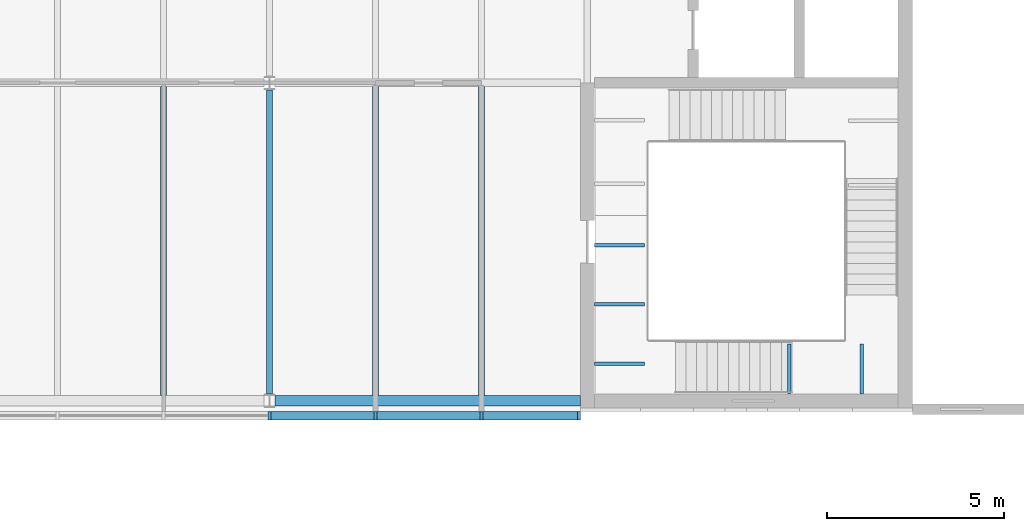
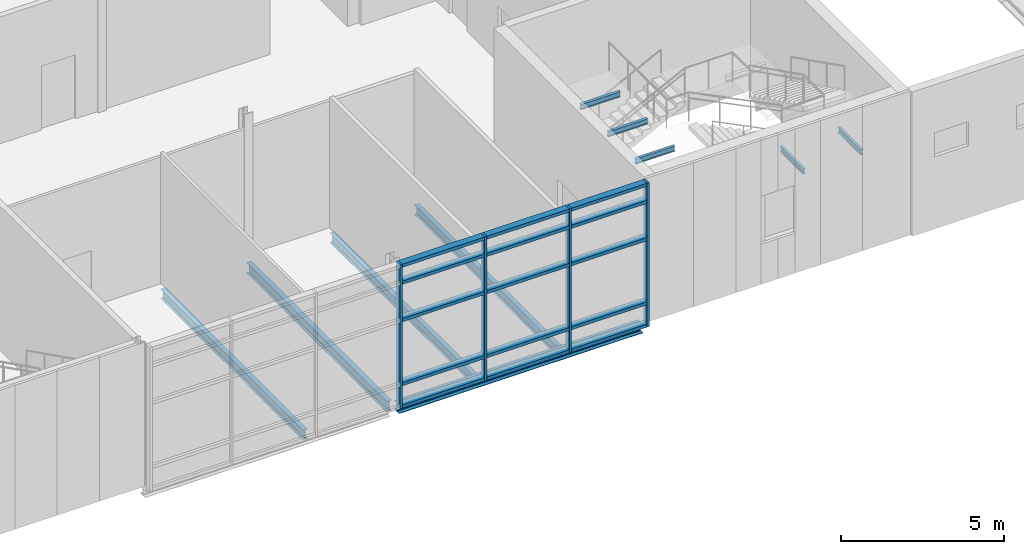
# One storey, part 14 of 53: 19 members, 10 beams, 1 element without a shape of its own.
"""IFC4 building model written with IfcOpenShell, lengths in metres."""

from ifc_helpers import new_model, si_unit, direction, frame, origin, origin_2d, place, context, subcontext, project, spatial, rectangle, i_section, extrude, material, material_profile, profile_set, type_object, element, aggregate, save


model = new_model("IFC4")

# Units and contexts
model_context = context("Model", 3, precision=1e-05, world=origin(), true_north=direction((0.0, 1.0)))
body_context = subcontext(model_context, "Body", "Model", "MODEL_VIEW")
ifc_project = project(units=[si_unit("LENGTHUNIT", "METRE"), si_unit("AREAUNIT", "SQUARE_METRE"), si_unit("VOLUMEUNIT", "CUBIC_METRE"), si_unit("PLANEANGLEUNIT", "RADIAN"), si_unit("MASSUNIT", "GRAM", prefix="KILO")], contexts=[model_context])

# Site, building, storey
site_placement = place(None, origin())
site = spatial("IfcSite", under=ifc_project, at=site_placement, CompositionType="ELEMENT")
building_placement = place(site_placement, origin())
building = spatial("IfcBuilding", under=site, at=building_placement, Name="Azimuth Sports and Learning Centre", CompositionType="ELEMENT")
storey_placement = place(building_placement, frame((0.0, 0.0, 10.800048828125)))
storey = spatial("IfcBuildingStorey", under=building, at=storey_placement, Name="L02", CompositionType="ELEMENT", Elevation=10.800048828125)

# Beams
ifc_material_1 = material(Name="Steel S355", Category="steel")
ifc_material_profile_1 = material_profile(ifc_material_1, i_section(OverallWidth=0.10009765625, OverallDepth=0.199951171875, WebThickness=0.005615234375, FlangeThickness=0.008544921875, FilletRadius=0.011962890625, at=origin_2d()), Name="IPE 200")
ifc_profile_set_1 = profile_set([ifc_material_profile_1], Name="Steel S355")
beam_type_1 = type_object("IfcBeamType", Name="Beam IPE 200", PredefinedType="BEAM", material=ifc_profile_set_1)
for number, where, z_axis, x_axis, name in (
    (1, (59.715087890625, 90.199951171875, 3.300048828125), (0.0, 1.0, 0.0), (-1.0, 0.0, 0.0), "Landing bracket W1 L02 21"),
    (2, (61.764892578125, 90.199951171875, 3.300048828125), (0.0, 1.0, 0.0), (-1.0, 0.0, 0.0), "Landing bracket W1 L02 22"),
    (3, (54.199951171875, 91.050048828125, 5.099853515625), (1.0, 0.0, 0.0), (0.0, 1.0, 0.0), "Landing bracket W1 L02 23"),
    (4, (54.199951171875, 92.72998046875, 5.099853515625), (1.0, 0.0, 0.0), (0.0, 1.0, 0.0), "Landing bracket W1 L02 24"),
    (5, (54.199951171875, 94.409912109375, 5.099853515625), (1.0, 0.0, 0.0), (0.0, 1.0, 0.0), "Landing bracket W1 L02 25"),
):
    element("IfcBeam", number, at=place(storey_placement, frame(where, z_axis=z_axis, x_axis=x_axis)), inside=storey, type_object=beam_type_1, Name=name, PredefinedType="BEAM", context=body_context, shape_type="SweptSolid", body=[
        extrude(i_section(OverallWidth=0.10009765625, OverallDepth=0.199951171875, WebThickness=0.005615234375, FlangeThickness=0.008544921875, FilletRadius=0.011962890625, at=origin_2d()), origin(), (0.0, 0.0, 1.0), 1.41015625),
    ])
ifc_material_2 = material(Name="Steel S355", Category="steel")
ifc_material_profile_2 = material_profile(ifc_material_2, i_section(OverallWidth=0.179931640625, OverallDepth=0.39990234375, WebThickness=0.008544921875, FlangeThickness=0.013427734375, FilletRadius=0.02099609375, at=origin_2d()), Name="IPE 400")
ifc_profile_set_2 = profile_set([ifc_material_profile_2], Name="Steel S355")
beam_type_2 = type_object("IfcBeamType", Name="Beam IPE 400", PredefinedType="BEAM", material=ifc_profile_set_2)
beam_1_placement = place(storey_placement, frame((45.0, 90.199951171875, -0.35009765625), z_axis=(0.0, 1.0, 0.0), x_axis=(-1.0, 0.0, 0.0)))
element("IfcBeam", 6, at=beam_1_placement, inside=storey, type_object=beam_type_2, Name="Beam L02 WW 23", PredefinedType="BEAM", context=body_context, shape_type="SweptSolid", body=[
    extrude(i_section(OverallWidth=0.179931640625, OverallDepth=0.39990234375, WebThickness=0.008544921875, FlangeThickness=0.013427734375, FilletRadius=0.02099609375, at=origin_2d()), origin(), (0.0, 0.0, 1.0), 8.60009765625),
])
ifc_material_3 = material(Name="Steel S355", Category="steel")
ifc_material_profile_3 = material_profile(ifc_material_3, i_section(OverallWidth=0.300048828125, OverallDepth=0.330078125, WebThickness=0.009521484375, FlangeThickness=0.0166015625, FilletRadius=0.027099609375, at=origin_2d()), Name="HEA 340")
ifc_profile_set_3 = profile_set([ifc_material_profile_3], Name="Steel S355")
beam_type_3 = type_object("IfcBeamType", Name="Edge beam HEA 340", PredefinedType="SPANDREL", material=ifc_profile_set_3)
beam_2_placement = place(storey_placement, frame((45.14990234375, 90.0, -0.31494140625), z_axis=(1.0, 0.0, 0.0), x_axis=(0.0, 1.0, 0.0)))
element("IfcBeam", 7, at=beam_2_placement, inside=storey, type_object=beam_type_3, Name="Edge beam L02 WW 4", PredefinedType="SPANDREL", context=body_context, shape_type="SweptSolid", body=[
    extrude(i_section(OverallWidth=0.300048828125, OverallDepth=0.330078125, WebThickness=0.009521484375, FlangeThickness=0.0166015625, FilletRadius=0.027099609375, at=origin_2d()), origin(), (0.0, 0.0, 1.0), 8.650146484375),
])
ifc_material_4 = material(Name="Steel S355", Category="steel")
ifc_material_profile_4 = material_profile(ifc_material_4, i_section(OverallWidth=0.169921875, OverallDepth=0.360107421875, WebThickness=0.008056640625, FlangeThickness=0.0126953125, FilletRadius=0.01806640625, at=origin_2d()), Name="IPE 360")
ifc_profile_set_4 = profile_set([ifc_material_profile_4], Name="Steel S355")
beam_type_4 = type_object("IfcBeamType", Name="Joist IPE 360", PredefinedType="JOIST", material=ifc_profile_set_4)
for number, where, z_axis, x_axis, name in (
    (8, (42.0, 90.14990234375, -0.330078125), (0.0, 1.0, 0.0), (-1.0, 0.0, 0.0), "Joist L02 WW 45"),
    (9, (48.0, 90.14990234375, -0.330078125), (0.0, 1.0, 0.0), (-1.0, 0.0, 0.0), "Joist L02 WW 48"),
    (10, (51.0, 90.14990234375, -0.330078125), (0.0, 1.0, 0.0), (-1.0, 0.0, 0.0), "Joist L02 WW 51"),
):
    element("IfcBeam", number, at=place(storey_placement, frame(where, z_axis=z_axis, x_axis=x_axis)), inside=storey, type_object=beam_type_4, Name=name, PredefinedType="JOIST", context=body_context, shape_type="SweptSolid", body=[
        extrude(i_section(OverallWidth=0.169921875, OverallDepth=0.360107421875, WebThickness=0.008056640625, FlangeThickness=0.0126953125, FilletRadius=0.01806640625, at=origin_2d()), origin(), (0.0, 0.0, 1.0), 8.7451171875),
    ])

# Curtain wall, members
ifc_material_5 = material(Name="Aluminium and glass", Category="aluminium")
curtain_wall_type = type_object("IfcCurtainWallType", Name="Curtain wall podium wing 240", PredefinedType="NOTDEFINED", material=ifc_material_5)
curtain_wall_placement = place(storey_placement, origin())
curtain_wall = element("IfcCurtainWall", 11, at=curtain_wall_placement, inside=storey, type_object=curtain_wall_type, Name="Curtain wall CW02-002", PredefinedType="NOTDEFINED")
ifc_material_6 = material(Name="Aluminium", Category="aluminium")
ifc_material_profile_5 = material_profile(ifc_material_6, rectangle(XDim=0.239990234375, YDim=0.080078125, at=origin_2d()), Name="Mullion 80x240")
ifc_profile_set_5 = profile_set([ifc_material_profile_5], Name="Aluminium")
member_type_1 = type_object("IfcMemberType", Name="Mullion 80x240", PredefinedType="MULLION", material=ifc_profile_set_5)
member_1_placement = place(storey_placement, frame((45.0, 89.580078125, 0.0), z_axis=(0.0, 0.0, 1.0), x_axis=(0.0, 1.0, 0.0)))
member_1 = element("IfcMember", 12, at=member_1_placement, type_object=member_type_1, Name="CW02-002 mullion 4", PredefinedType="MULLION", context=body_context, shape_type="SweptSolid", body=[
    extrude(rectangle(XDim=0.239990234375, YDim=0.080078125, at=origin_2d()), origin(), (0.0, 0.0, 1.0), 5.39990234375),
])
member_2_placement = place(storey_placement, frame((48.0, 89.580078125, 0.0), z_axis=(0.0, 0.0, 1.0), x_axis=(0.0, 1.0, 0.0)))
member_2 = element("IfcMember", 13, at=member_2_placement, type_object=member_type_1, Name="CW02-002 mullion 5", PredefinedType="MULLION", context=body_context, shape_type="SweptSolid", body=[
    extrude(rectangle(XDim=0.239990234375, YDim=0.080078125, at=origin_2d()), origin(), (0.0, 0.0, 1.0), 5.39990234375),
])
member_3_placement = place(storey_placement, frame((51.0, 89.580078125, 0.0), z_axis=(0.0, 0.0, 1.0), x_axis=(0.0, 1.0, 0.0)))
member_3 = element("IfcMember", 14, at=member_3_placement, type_object=member_type_1, Name="CW02-002 mullion 6", PredefinedType="MULLION", context=body_context, shape_type="SweptSolid", body=[
    extrude(rectangle(XDim=0.239990234375, YDim=0.080078125, at=origin_2d()), origin(), (0.0, 0.0, 1.0), 5.39990234375),
])
member_4_placement = place(storey_placement, frame((53.760009765625, 89.580078125, 0.0), z_axis=(0.0, 0.0, 1.0), x_axis=(0.0, 1.0, 0.0)))
member_4 = element("IfcMember", 15, at=member_4_placement, type_object=member_type_1, Name="CW02-002 mullion 7", PredefinedType="MULLION", context=body_context, shape_type="SweptSolid", body=[
    extrude(rectangle(XDim=0.239990234375, YDim=0.080078125, at=origin_2d()), origin(), (0.0, 0.0, 1.0), 5.39990234375),
])
ifc_material_7 = material(Name="Aluminium", Category="aluminium")
ifc_material_profile_6 = material_profile(ifc_material_7, rectangle(XDim=0.239990234375, YDim=0.1201171875, at=origin_2d()), Name="Transom 120x240")
ifc_profile_set_6 = profile_set([ifc_material_profile_6], Name="Aluminium")
member_type_2 = type_object("IfcMemberType", Name="Transom 120x240", PredefinedType="USERDEFINED", material=ifc_profile_set_6)
member_5_placement = place(storey_placement, frame((45.0400390625, 89.580078125, 0.06005859375), z_axis=(1.0, 0.0, 0.0), x_axis=(0.0, 1.0, 0.0)))
member_5 = element("IfcMember", 16, at=member_5_placement, type_object=member_type_2, Name="CW02-002 transom 4.1", ObjectType="TRANSOM", PredefinedType="USERDEFINED", context=body_context, shape_type="SweptSolid", body=[
    extrude(rectangle(XDim=0.239990234375, YDim=0.1201171875, at=origin_2d()), origin(), (0.0, 0.0, 1.0), 2.919921875),
])
member_6_placement = place(storey_placement, frame((45.0400390625, 89.580078125, 0.89990234375), z_axis=(1.0, 0.0, 0.0), x_axis=(0.0, 1.0, 0.0)))
member_6 = element("IfcMember", 17, at=member_6_placement, type_object=member_type_2, Name="CW02-002 transom 4.2", ObjectType="TRANSOM", PredefinedType="USERDEFINED", context=body_context, shape_type="SweptSolid", body=[
    extrude(rectangle(XDim=0.239990234375, YDim=0.1201171875, at=origin_2d()), origin(), (0.0, 0.0, 1.0), 2.919921875),
])
member_7_placement = place(storey_placement, frame((45.0400390625, 89.580078125, 3.300048828125), z_axis=(1.0, 0.0, 0.0), x_axis=(0.0, 1.0, 0.0)))
member_7 = element("IfcMember", 18, at=member_7_placement, type_object=member_type_2, Name="CW02-002 transom 4.3", ObjectType="TRANSOM", PredefinedType="USERDEFINED", context=body_context, shape_type="SweptSolid", body=[
    extrude(rectangle(XDim=0.239990234375, YDim=0.1201171875, at=origin_2d()), origin(), (0.0, 0.0, 1.0), 2.919921875),
])
member_8_placement = place(storey_placement, frame((45.0400390625, 89.580078125, 4.699951171875), z_axis=(1.0, 0.0, 0.0), x_axis=(0.0, 1.0, 0.0)))
member_8 = element("IfcMember", 19, at=member_8_placement, type_object=member_type_2, Name="CW02-002 transom 4.4", ObjectType="TRANSOM", PredefinedType="USERDEFINED", context=body_context, shape_type="SweptSolid", body=[
    extrude(rectangle(XDim=0.239990234375, YDim=0.1201171875, at=origin_2d()), origin(), (0.0, 0.0, 1.0), 2.919921875),
])
member_9_placement = place(storey_placement, frame((45.0400390625, 89.580078125, 5.33984375), z_axis=(1.0, 0.0, 0.0), x_axis=(0.0, 1.0, 0.0)))
member_9 = element("IfcMember", 20, at=member_9_placement, type_object=member_type_2, Name="CW02-002 transom 4.5", ObjectType="TRANSOM", PredefinedType="USERDEFINED", context=body_context, shape_type="SweptSolid", body=[
    extrude(rectangle(XDim=0.239990234375, YDim=0.1201171875, at=origin_2d()), origin(), (0.0, 0.0, 1.0), 2.919921875),
])
member_10_placement = place(storey_placement, frame((48.0400390625, 89.580078125, 0.06005859375), z_axis=(1.0, 0.0, 0.0), x_axis=(0.0, 1.0, 0.0)))
member_10 = element("IfcMember", 21, at=member_10_placement, type_object=member_type_2, Name="CW02-002 transom 5.1", ObjectType="TRANSOM", PredefinedType="USERDEFINED", context=body_context, shape_type="SweptSolid", body=[
    extrude(rectangle(XDim=0.239990234375, YDim=0.1201171875, at=origin_2d()), origin(), (0.0, 0.0, 1.0), 2.919921875),
])
member_11_placement = place(storey_placement, frame((48.0400390625, 89.580078125, 0.89990234375), z_axis=(1.0, 0.0, 0.0), x_axis=(0.0, 1.0, 0.0)))
member_11 = element("IfcMember", 22, at=member_11_placement, type_object=member_type_2, Name="CW02-002 transom 5.2", ObjectType="TRANSOM", PredefinedType="USERDEFINED", context=body_context, shape_type="SweptSolid", body=[
    extrude(rectangle(XDim=0.239990234375, YDim=0.1201171875, at=origin_2d()), origin(), (0.0, 0.0, 1.0), 2.919921875),
])
member_12_placement = place(storey_placement, frame((48.0400390625, 89.580078125, 3.300048828125), z_axis=(1.0, 0.0, 0.0), x_axis=(0.0, 1.0, 0.0)))
member_12 = element("IfcMember", 23, at=member_12_placement, type_object=member_type_2, Name="CW02-002 transom 5.3", ObjectType="TRANSOM", PredefinedType="USERDEFINED", context=body_context, shape_type="SweptSolid", body=[
    extrude(rectangle(XDim=0.239990234375, YDim=0.1201171875, at=origin_2d()), origin(), (0.0, 0.0, 1.0), 2.919921875),
])
member_13_placement = place(storey_placement, frame((48.0400390625, 89.580078125, 4.699951171875), z_axis=(1.0, 0.0, 0.0), x_axis=(0.0, 1.0, 0.0)))
member_13 = element("IfcMember", 24, at=member_13_placement, type_object=member_type_2, Name="CW02-002 transom 5.4", ObjectType="TRANSOM", PredefinedType="USERDEFINED", context=body_context, shape_type="SweptSolid", body=[
    extrude(rectangle(XDim=0.239990234375, YDim=0.1201171875, at=origin_2d()), origin(), (0.0, 0.0, 1.0), 2.919921875),
])
member_14_placement = place(storey_placement, frame((48.0400390625, 89.580078125, 5.33984375), z_axis=(1.0, 0.0, 0.0), x_axis=(0.0, 1.0, 0.0)))
member_14 = element("IfcMember", 25, at=member_14_placement, type_object=member_type_2, Name="CW02-002 transom 5.5", ObjectType="TRANSOM", PredefinedType="USERDEFINED", context=body_context, shape_type="SweptSolid", body=[
    extrude(rectangle(XDim=0.239990234375, YDim=0.1201171875, at=origin_2d()), origin(), (0.0, 0.0, 1.0), 2.919921875),
])
member_15_placement = place(storey_placement, frame((51.0400390625, 89.580078125, 0.06005859375), z_axis=(1.0, 0.0, 0.0), x_axis=(0.0, 1.0, 0.0)))
member_15 = element("IfcMember", 26, at=member_15_placement, type_object=member_type_2, Name="CW02-002 transom 6.1", ObjectType="TRANSOM", PredefinedType="USERDEFINED", context=body_context, shape_type="SweptSolid", body=[
    extrude(rectangle(XDim=0.239990234375, YDim=0.1201171875, at=origin_2d()), origin(), (0.0, 0.0, 1.0), 2.679931640625),
])
member_16_placement = place(storey_placement, frame((51.0400390625, 89.580078125, 0.89990234375), z_axis=(1.0, 0.0, 0.0), x_axis=(0.0, 1.0, 0.0)))
member_16 = element("IfcMember", 27, at=member_16_placement, type_object=member_type_2, Name="CW02-002 transom 6.2", ObjectType="TRANSOM", PredefinedType="USERDEFINED", context=body_context, shape_type="SweptSolid", body=[
    extrude(rectangle(XDim=0.239990234375, YDim=0.1201171875, at=origin_2d()), origin(), (0.0, 0.0, 1.0), 2.679931640625),
])
member_17_placement = place(storey_placement, frame((51.0400390625, 89.580078125, 3.300048828125), z_axis=(1.0, 0.0, 0.0), x_axis=(0.0, 1.0, 0.0)))
member_17 = element("IfcMember", 28, at=member_17_placement, type_object=member_type_2, Name="CW02-002 transom 6.3", ObjectType="TRANSOM", PredefinedType="USERDEFINED", context=body_context, shape_type="SweptSolid", body=[
    extrude(rectangle(XDim=0.239990234375, YDim=0.1201171875, at=origin_2d()), origin(), (0.0, 0.0, 1.0), 2.679931640625),
])
member_18_placement = place(storey_placement, frame((51.0400390625, 89.580078125, 4.699951171875), z_axis=(1.0, 0.0, 0.0), x_axis=(0.0, 1.0, 0.0)))
member_18 = element("IfcMember", 29, at=member_18_placement, type_object=member_type_2, Name="CW02-002 transom 6.4", ObjectType="TRANSOM", PredefinedType="USERDEFINED", context=body_context, shape_type="SweptSolid", body=[
    extrude(rectangle(XDim=0.239990234375, YDim=0.1201171875, at=origin_2d()), origin(), (0.0, 0.0, 1.0), 2.679931640625),
])
member_19_placement = place(storey_placement, frame((51.0400390625, 89.580078125, 5.33984375), z_axis=(1.0, 0.0, 0.0), x_axis=(0.0, 1.0, 0.0)))
member_19 = element("IfcMember", 30, at=member_19_placement, type_object=member_type_2, Name="CW02-002 transom 6.5", ObjectType="TRANSOM", PredefinedType="USERDEFINED", context=body_context, shape_type="SweptSolid", body=[
    extrude(rectangle(XDim=0.239990234375, YDim=0.1201171875, at=origin_2d()), origin(), (0.0, 0.0, 1.0), 2.679931640625),
])
aggregate(curtain_wall, [member_1, member_2, member_3, member_4, member_5, member_6, member_7, member_8, member_9, member_10, member_11, member_12, member_13, member_14, member_15, member_16, member_17, member_18, member_19])

save(model, "model.ifc")
